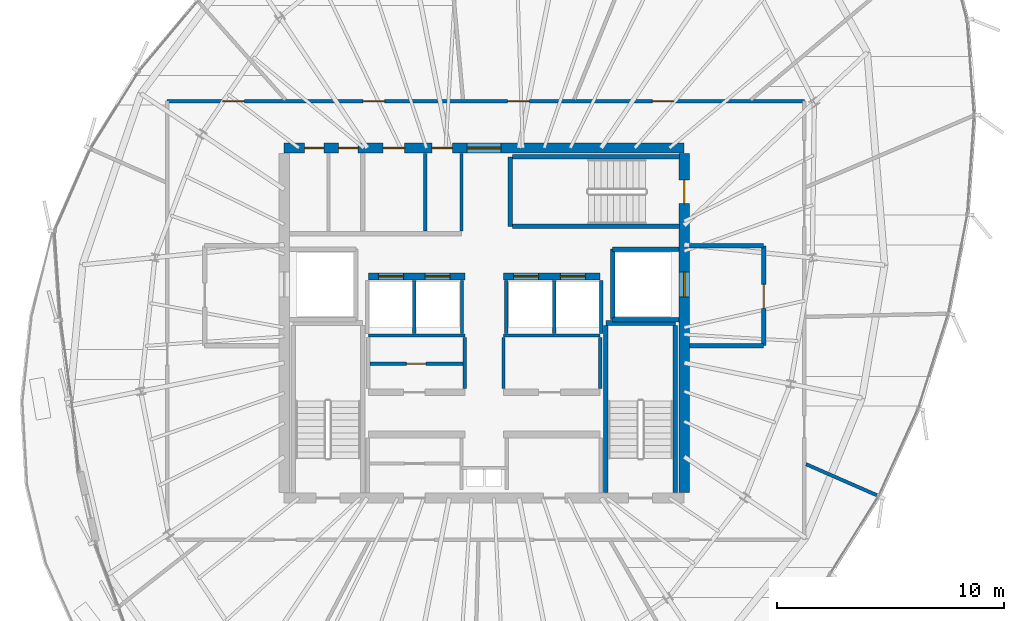
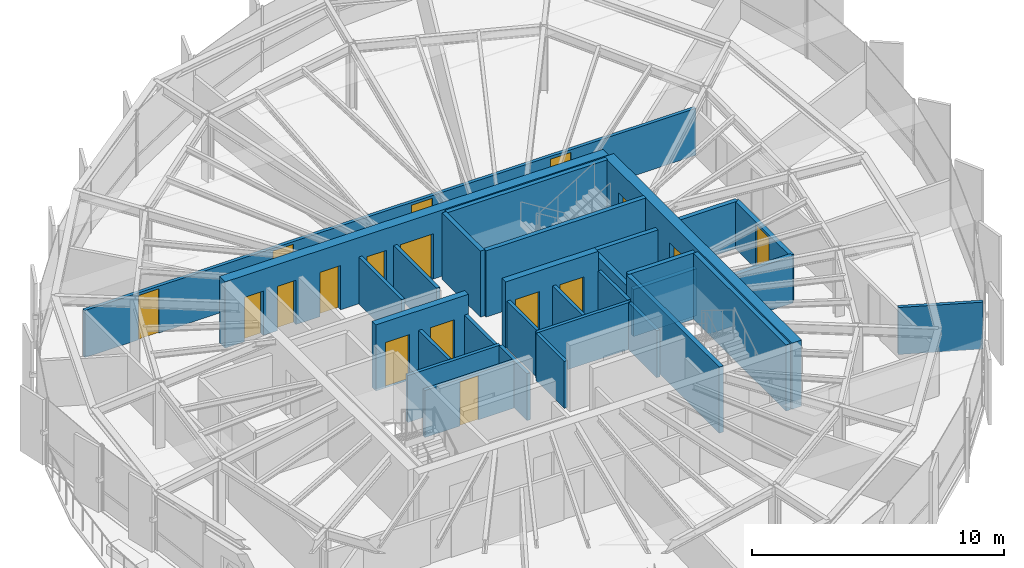
# One storey, part 27 of 32: 31 walls, 17 doors, 17 openings.
"""IFC4 building model written with IfcOpenShell, lengths in metres."""

import ifcopenshell
import ifcopenshell.guid

model = None  # the IFC model being written
_history = None  # IfcOwnerHistory: only IFC2X3 demands one
_inside = {}  # id of a spatial element -> (the spatial element, [elements in it])
_under = {}  # id of a project, library or spatial element -> (it, [spatial elements below it])
_declared = {}  # id of a project -> (the project, [libraries it declares])
_typed = {}  # id of a type object -> (the type object, [elements of that type])
_made_of = {}  # id of a material, layer set ... -> (it, [elements and type objects made of it])


def new_model(schema):
    """Start an empty IFC model of exactly this schema.

    Asked for "IFC4X3", IfcOpenShell would pick the latest addendum, in which some entities
    have other attributes; the version numbers below select the first issue.
    IFC2X3 requires an IfcOwnerHistory on every rooted entity: one is made here for all.
    """
    global model, _history
    if schema == "IFC4X3":
        model = ifcopenshell.file(schema_version=(4, 3, 0, 0))
    else:
        model = ifcopenshell.file(schema=schema)
    _inside.clear()
    _under.clear()
    _declared.clear()
    _typed.clear()
    _made_of.clear()
    _history = None
    if model.schema == "IFC2X3":
        org = make("IfcOrganization", Name="unknown")
        user = make(
            "IfcPersonAndOrganization",
            ThePerson=make("IfcPerson", FamilyName="unknown"),
            TheOrganization=org,
        )
        app = make(
            "IfcApplication",
            ApplicationDeveloper=org,
            Version="unknown",
            ApplicationFullName="unknown",
            ApplicationIdentifier="unknown",
        )
        _history = make(
            "IfcOwnerHistory",
            OwningUser=user,
            OwningApplication=app,
            ChangeAction="ADDED",
            CreationDate=0,
        )
    return model


def make(cls, **values):
    """One entity of the class cls with the attributes given. An attribute that is None is left unset."""
    return model.create_entity(
        cls, **{name: value for name, value in values.items() if value is not None}
    )


def rooted(cls, **values):
    """An entity with a GlobalId (a new one), such as an element, a storey or a relation."""
    return make(cls, GlobalId=ifcopenshell.guid.new(), OwnerHistory=_history, **values)


def si_unit(unit_type, name, prefix=None):
    """IfcSIUnit, for example si_unit("LENGTHUNIT", "METRE", prefix="MILLI")."""
    return make("IfcSIUnit", UnitType=unit_type, Prefix=prefix, Name=name)


def assignment(units):
    """IfcUnitAssignment: the units of a project."""
    return None if units is None else make("IfcUnitAssignment", Units=units)


def point(xyz):
    """IfcCartesianPoint."""
    return None if xyz is None else make("IfcCartesianPoint", Coordinates=xyz)


def direction(xyz):
    """IfcDirection."""
    return None if xyz is None else make("IfcDirection", DirectionRatios=xyz)


def frame(location, z_axis=None, x_axis=None):
    """IfcAxis2Placement3D, a coordinate frame: its origin and axes. An axis left out is left unset."""
    return make(
        "IfcAxis2Placement3D",
        Location=point(location),
        Axis=direction(z_axis),
        RefDirection=direction(x_axis),
    )


def frame_2d(location, x_axis=None):
    """IfcAxis2Placement2D, a coordinate frame in the plane: its origin and x axis."""
    return make(
        "IfcAxis2Placement2D", Location=point(location), RefDirection=direction(x_axis)
    )


def origin():
    """The frame at (0, 0, 0) with its axes left unset."""
    return frame((0.0, 0.0, 0.0))


def place(relative_to, where):
    """IfcLocalPlacement: puts the frame where relative to a parent placement (None: the world)."""
    return make(
        "IfcLocalPlacement", PlacementRelTo=relative_to, RelativePlacement=where
    )


def context(
    kind, dimensions, precision=None, world=None, true_north=None, identifier=None
):
    """IfcGeometricRepresentationContext, for example the 3D "Model" context."""
    return make(
        "IfcGeometricRepresentationContext",
        ContextIdentifier=identifier,
        ContextType=kind,
        CoordinateSpaceDimension=dimensions,
        Precision=precision,
        WorldCoordinateSystem=world,
        TrueNorth=true_north,
    )


def subcontext(parent, identifier, kind, view, scale=None):
    """IfcGeometricRepresentationSubContext, for example "Body" below "Model"."""
    return make(
        "IfcGeometricRepresentationSubContext",
        ContextIdentifier=identifier,
        ContextType=kind,
        ParentContext=parent,
        TargetScale=scale,
        TargetView=view,
    )


def project(units=None, contexts=None):
    """IfcProject with its units and contexts."""
    return rooted(
        "IfcProject",
        Name="project",
        RepresentationContexts=contexts,
        UnitsInContext=assignment(units),
    )


def spatial(cls, under=None, at=None, **own):
    """A site, building, storey or space (cls), placed at a placement, below another one or the project."""
    s = rooted(cls, ObjectPlacement=at, **own)
    if under is not None:
        _under.setdefault(under.id(), (under, []))[1].append(s)
    return s


def profile(cls, at=None, kind="AREA", **sizes):
    """A parametric profile (cls). Its sizes go by their IFC names, for example OverallWidth=200.0."""
    return make(cls, ProfileType=kind, Position=at, **sizes)


def rectangle(**sizes):
    """IfcRectangleProfileDef."""
    return profile("IfcRectangleProfileDef", **sizes)


def extrude(swept, where, along, depth):
    """IfcExtrudedAreaSolid: the profile swept, set in the frame where, extruded along a direction by depth."""
    return make(
        "IfcExtrudedAreaSolid",
        SweptArea=swept,
        Position=where,
        ExtrudedDirection=direction(along),
        Depth=depth,
    )


def shape(context_of_items, identifier, shape_type, items):
    """IfcShapeRepresentation: the items that make up one representation, for example the "Body"."""
    return make(
        "IfcShapeRepresentation",
        ContextOfItems=context_of_items,
        RepresentationIdentifier=identifier,
        RepresentationType=shape_type,
        Items=items,
    )


def source(mapping_origin, context_of_items, identifier, shape_type, items):
    """IfcRepresentationMap: a shape defined once, which mapped items show again and again."""
    return make(
        "IfcRepresentationMap",
        MappingOrigin=mapping_origin,
        MappedRepresentation=shape(context_of_items, identifier, shape_type, items),
    )


def transform(
    local_origin,
    x_axis=None,
    y_axis=None,
    z_axis=None,
    scale=None,
    scale2=None,
    scale3=None,
    uniform=True,
):
    """IfcCartesianTransformationOperator3D, or its non-uniform kind. x_axis, y_axis, z_axis: its Axis1, 2, 3."""
    if uniform:
        return make(
            "IfcCartesianTransformationOperator3D",
            Axis1=direction(x_axis),
            Axis2=direction(y_axis),
            LocalOrigin=point(local_origin),
            Scale=scale,
            Axis3=direction(z_axis),
        )
    return make(
        "IfcCartesianTransformationOperator3DnonUniform",
        Axis1=direction(x_axis),
        Axis2=direction(y_axis),
        LocalOrigin=point(local_origin),
        Scale=scale,
        Axis3=direction(z_axis),
        Scale2=scale2,
        Scale3=scale3,
    )


def mapped(mapping_source, mapping_target):
    """IfcMappedItem: shows the shape of a source again, moved by a transform."""
    return make(
        "IfcMappedItem", MappingSource=mapping_source, MappingTarget=mapping_target
    )


def material(Name=None, Category=None):
    """IfcMaterial."""
    return make("IfcMaterial", Name=Name, Category=Category)


def layer(
    of_material, thickness, ventilated=None, Name=None, Category=None, Priority=None
):
    """IfcMaterialLayer: one layer of a wall or slab, of a material (None: an air gap)."""
    return make(
        "IfcMaterialLayer",
        Material=of_material,
        LayerThickness=thickness,
        IsVentilated=ventilated,
        Name=Name,
        Category=Category,
        Priority=Priority,
    )


def layer_set(layers, Name=None):
    """IfcMaterialLayerSet."""
    return make("IfcMaterialLayerSet", MaterialLayers=layers, LayerSetName=Name)


def made_of(thing, what):
    """Note that an element or type object is made of a material, layer set ...; save() writes the relation."""
    if what is not None:
        _made_of.setdefault(what.id(), (what, []))[1].append(thing)
    return thing


def type_object(cls, material=None, **own):
    """A type object (cls), such as IfcWallType, which elements share."""
    return made_of(rooted(cls, **own), material)


def element(
    cls,
    number,
    at=None,
    inside=None,
    cuts=None,
    type_object=None,
    material=None,
    context=None,
    identifier="Body",
    shape_type=None,
    held_by="IfcProductDefinitionShape",
    body=None,
    shapes=None,
    **own,
):
    """One element of the class cls, such as IfcWall. Its Tag is "e" and its number.

    at: its placement. inside: the storey or other place that contains it. cuts: it is an
    opening in that element (IfcRelVoidsElement). A single representation is given by context,
    identifier, shape_type and body (its items); several are given by shapes. held_by: the class
    of the entity that holds the representations. save() writes the other relations.
    """
    e = rooted(cls, Tag="e%d" % number, ObjectPlacement=at, **own)
    if body is not None:
        shapes = [shape(context, identifier, shape_type, body)]
    if shapes is not None:
        e.Representation = make(held_by, Representations=shapes)
    if inside is not None:
        _inside.setdefault(inside.id(), (inside, []))[1].append(e)
    if cuts is not None:
        rooted(
            "IfcRelVoidsElement", RelatingBuildingElement=cuts, RelatedOpeningElement=e
        )
    if type_object is not None:
        _typed.setdefault(type_object.id(), (type_object, []))[1].append(e)
    return made_of(e, material)


def fill(opening, filler):
    """IfcRelFillsElement: the door or window that sits in an opening."""
    return rooted(
        "IfcRelFillsElement",
        RelatingOpeningElement=opening,
        RelatedBuildingElement=filler,
    )


def aggregate(whole, parts):
    """IfcRelAggregates: a whole, such as a stair, and the parts it consists of."""
    return rooted("IfcRelAggregates", RelatingObject=whole, RelatedObjects=parts)


def save(model, path):
    """Write the relations noted so far, then the file.

    IfcRelAggregates (storeys below a building ...), IfcRelContainedInSpatialStructure (elements
    in a storey), IfcRelDefinesByType, IfcRelAssociatesMaterial and IfcRelDeclares: one each for
    every whole, place, type object, material and project.
    """
    for whole, parts in _under.values():
        aggregate(whole, parts)
    for where, things in _inside.values():
        rooted(
            "IfcRelContainedInSpatialStructure",
            RelatedElements=things,
            RelatingStructure=where,
        )
    for kind, things in _typed.values():
        rooted("IfcRelDefinesByType", RelatedObjects=things, RelatingType=kind)
    for what, things in _made_of.values():
        rooted("IfcRelAssociatesMaterial", RelatedObjects=things, RelatingMaterial=what)
    for by, libraries in _declared.values():
        rooted("IfcRelDeclares", RelatingContext=by, RelatedDefinitions=libraries)
    model.write(path)


model = new_model("IFC4")

# Units and contexts
model_context = context("Model", 3, precision=1e-05, world=origin(), true_north=direction((0.0, 1.0)))
body_context = subcontext(model_context, "Body", "Model", "MODEL_VIEW")
ifc_project = project(units=[si_unit("LENGTHUNIT", "METRE"), si_unit("AREAUNIT", "SQUARE_METRE"), si_unit("VOLUMEUNIT", "CUBIC_METRE"), si_unit("PLANEANGLEUNIT", "RADIAN"), si_unit("MASSUNIT", "GRAM", prefix="KILO"), si_unit("THERMODYNAMICTEMPERATUREUNIT", "KELVIN")], contexts=[model_context])

# Site, building, storey
site_placement = place(None, origin())
site = spatial("IfcSite", under=ifc_project, at=site_placement, CompositionType="ELEMENT")
building_placement = place(site_placement, origin())
building = spatial("IfcBuilding", under=site, at=building_placement, Name="Kethvar Cultural Tower", CompositionType="ELEMENT")
storey_placement = place(building_placement, frame((0.0, 0.0, 252.550048828125)))
storey = spatial("IfcBuildingStorey", under=building, at=storey_placement, Name="L66", CompositionType="ELEMENT", Elevation=252.550048828125)

# Wall, openings, doors
ifc_material_1 = material(Name="Concrete C50/60", Category="concrete")
ifc_layer_1 = layer(ifc_material_1, 0.449951171875, Name="Concrete C50/60", Category="concrete")
ifc_layer_set_1 = layer_set([ifc_layer_1], Name="Concrete C50/60 (450 mm)")
wall_type_1 = type_object("IfcWallType", Name="WL-CORE-450", PredefinedType="SHEAR", material=ifc_layer_set_1)
wall_1_placement = place(storey_placement, frame((55.60009765625, 35.5, 0.0), z_axis=(0.0, 0.0, 1.0), x_axis=(-1.0, 0.0, 0.0)))
wall_1 = element("IfcWall", 1, at=wall_1_placement, inside=storey, type_object=wall_type_1, Name="L66 Core Shear Wall N", PredefinedType="SHEAR", context=body_context, shape_type="SweptSolid", body=[
    extrude(rectangle(XDim=17.60009765625, YDim=0.449951171875, at=frame_2d((8.800048828125, 0.0))), origin(), (0.0, 0.0, 1.0), 3.2099609375),
])
opening_1_placement = place(wall_1_placement, frame((8.050048828125, 0.0, 0.0)))
opening_1 = element("IfcOpeningElement", 2, at=opening_1_placement, cuts=wall_1, Name="Opening D-L66-LN", PredefinedType="OPENING", context=body_context, shape_type="SweptSolid", body=[
    extrude(rectangle(XDim=1.5, YDim=2.199951171875, at=frame_2d((0.75, 1.10009765625))), frame((0.0, 0.23486328125, 0.0), z_axis=(0.0, -1.0, 0.0), x_axis=(1.0, 0.0, 0.0)), (0.0, 0.0, 1.0), 0.469970703125),
])
opening_2_placement = place(wall_1_placement, frame((15.85009765625, 0.0, 0.0)))
opening_2 = element("IfcOpeningElement", 3, at=opening_2_placement, cuts=wall_1, Name="Opening D-L66-E1", PredefinedType="OPENING", context=body_context, shape_type="SweptSolid", body=[
    extrude(rectangle(XDim=0.85009765625, YDim=2.14990234375, at=frame_2d((0.425048828125, 1.074951171875))), frame((0.0, 0.23486328125, 0.0), z_axis=(0.0, -1.0, 0.0), x_axis=(1.0, 0.0, 0.0)), (0.0, 0.0, 1.0), 0.469970703125),
])
opening_3_placement = place(wall_1_placement, frame((14.35009765625, 0.0, 0.0)))
opening_3 = element("IfcOpeningElement", 4, at=opening_3_placement, cuts=wall_1, Name="Opening D-L66-E2", PredefinedType="OPENING", context=body_context, shape_type="SweptSolid", body=[
    extrude(rectangle(XDim=0.85009765625, YDim=2.14990234375, at=frame_2d((0.425048828125, 1.074951171875))), frame((0.0, 0.23486328125, 0.0), z_axis=(0.0, -1.0, 0.0), x_axis=(1.0, 0.0, 0.0)), (0.0, 0.0, 1.0), 0.469970703125),
])
opening_4_placement = place(wall_1_placement, frame((12.300048828125, 0.0, 0.0)))
opening_4 = element("IfcOpeningElement", 5, at=opening_4_placement, cuts=wall_1, Name="Opening D-L66-W1", PredefinedType="OPENING", context=body_context, shape_type="SweptSolid", body=[
    extrude(rectangle(XDim=0.949951171875, YDim=2.14990234375, at=frame_2d((0.47509765625, 1.074951171875))), frame((0.0, 0.23486328125, 0.0), z_axis=(0.0, -1.0, 0.0), x_axis=(1.0, 0.0, 0.0)), (0.0, 0.0, 1.0), 0.469970703125),
])
opening_5_placement = place(wall_1_placement, frame((10.199951171875, 0.0, 0.0)))
opening_5 = element("IfcOpeningElement", 6, at=opening_5_placement, cuts=wall_1, Name="Opening D-L66-W2", PredefinedType="OPENING", context=body_context, shape_type="SweptSolid", body=[
    extrude(rectangle(XDim=0.89990234375, YDim=2.14990234375, at=frame_2d((0.449951171875, 1.074951171875))), frame((0.0, 0.23486328125, 0.0), z_axis=(0.0, -1.0, 0.0), x_axis=(1.0, 0.0, 0.0)), (0.0, 0.0, 1.0), 0.469970703125),
])
ifc_material_2 = material(Name="Architectural Oak Timber", Category="wood")
door_type_1 = type_object("IfcDoorType", Name="DR-DBL-FD60-1500", OperationType="DOUBLE_DOOR_SINGLE_SWING", PredefinedType="DOOR", material=ifc_material_2)
shared_shape_1 = source(origin(), body_context, "Body", "SweptSolid", [
    extrude(rectangle(XDim=1.5, YDim=2.199951171875, at=frame_2d((0.75, 1.10009765625))), frame((0.0, 0.02490234375, 0.0), z_axis=(0.0, -1.0, 0.0), x_axis=(1.0, 0.0, 0.0)), (0.0, 0.0, 1.0), 0.050048828125),
])
door_1_placement = place(opening_1_placement, origin())
door_1 = element("IfcDoor", 7, at=door_1_placement, inside=storey, type_object=door_type_1, Name="L66 Lift Lobby Concourse Door", OperationType="DOUBLE_DOOR_SINGLE_SWING", OverallHeight=2.199951171875, OverallWidth=1.5, PredefinedType="DOOR", context=body_context, shape_type="MappedRepresentation", body=[
    mapped(shared_shape_1, transform((0.0, 0.0, 0.0), scale=1.0)),
])
fill(opening_1, door_1)
door_type_2 = type_object("IfcDoorType", Name="DR-FD30-950", OperationType="NOTDEFINED", PredefinedType="DOOR", material=ifc_material_2)
shared_shape_2 = source(origin(), body_context, "Body", "SweptSolid", [
    extrude(rectangle(XDim=0.949951171875, YDim=2.14990234375, at=frame_2d((0.47509765625, 1.074951171875))), frame((0.0, 0.02490234375, 0.0), z_axis=(0.0, -1.0, 0.0), x_axis=(1.0, 0.0, 0.0)), (0.0, 0.0, 1.0), 0.050048828125),
])
door_2_placement = place(opening_4_placement, origin())
door_2 = element("IfcDoor", 8, at=door_2_placement, inside=storey, type_object=door_type_2, Name="L66 Public Washroom Door", OperationType="SINGLE_SWING_LEFT", OverallHeight=2.14990234375, OverallWidth=0.949951171875, PredefinedType="DOOR", context=body_context, shape_type="MappedRepresentation", body=[
    mapped(shared_shape_2, transform((0.0, 0.0, 0.0), scale=1.0)),
])
fill(opening_4, door_2)
door_type_3 = type_object("IfcDoorType", Name="DR-FD30-900", OperationType="NOTDEFINED", PredefinedType="DOOR", material=ifc_material_2)
shared_shape_3 = source(origin(), body_context, "Body", "SweptSolid", [
    extrude(rectangle(XDim=0.89990234375, YDim=2.14990234375, at=frame_2d((0.449951171875, 1.074951171875))), frame((0.0, 0.02490234375, 0.0), z_axis=(0.0, -1.0, 0.0), x_axis=(1.0, 0.0, 0.0)), (0.0, 0.0, 1.0), 0.050048828125),
])
door_3_placement = place(opening_5_placement, origin())
door_3 = element("IfcDoor", 9, at=door_3_placement, inside=storey, type_object=door_type_3, Name="L66 Accessible Washroom Door", OperationType="SINGLE_SWING_RIGHT", OverallHeight=2.14990234375, OverallWidth=0.89990234375, PredefinedType="DOOR", context=body_context, shape_type="MappedRepresentation", body=[
    mapped(shared_shape_3, transform((0.0, 0.0, 0.0), scale=1.0)),
])
fill(opening_5, door_3)
ifc_material_3 = material(Name="Steel S355J2", Category="steel")
door_type_4 = type_object("IfcDoorType", Name="DR-FD30-850", OperationType="NOTDEFINED", PredefinedType="DOOR", material=ifc_material_3)
shared_shape_4 = source(origin(), body_context, "Body", "SweptSolid", [
    extrude(rectangle(XDim=0.85009765625, YDim=2.14990234375, at=frame_2d((0.425048828125, 1.074951171875))), frame((0.0, 0.02490234375, 0.0), z_axis=(0.0, -1.0, 0.0), x_axis=(1.0, 0.0, 0.0)), (0.0, 0.0, 1.0), 0.050048828125),
])
door_4_placement = place(opening_2_placement, origin())
door_4 = element("IfcDoor", 10, at=door_4_placement, inside=storey, type_object=door_type_4, Name="L66 Electrical Riser Door", OperationType="SINGLE_SWING_LEFT", OverallHeight=2.14990234375, OverallWidth=0.85009765625, PredefinedType="DOOR", context=body_context, shape_type="MappedRepresentation", body=[
    mapped(shared_shape_4, transform((0.0, 0.0, 0.0), scale=1.0)),
])
fill(opening_2, door_4)
door_5_placement = place(opening_3_placement, origin())
door_5 = element("IfcDoor", 11, at=door_5_placement, inside=storey, type_object=door_type_4, Name="L66 Chilled Water Riser Door", OperationType="SINGLE_SWING_RIGHT", OverallHeight=2.14990234375, OverallWidth=0.85009765625, PredefinedType="DOOR", context=body_context, shape_type="MappedRepresentation", body=[
    mapped(shared_shape_4, transform((0.0, 0.0, 0.0), scale=1.0)),
])
fill(opening_3, door_5)

wall_2_placement = place(storey_placement, frame((55.60009765625, 20.340087890625, 0.0), z_axis=(0.0, 0.0, 1.0), x_axis=(0.0, 1.0, 0.0)))
wall_2 = element("IfcWall", 12, at=wall_2_placement, inside=storey, type_object=wall_type_1, Name="L66 Core Shear Wall E", PredefinedType="SHEAR", context=body_context, shape_type="SweptSolid", body=[
    extrude(rectangle(XDim=14.919921875, YDim=0.449951171875, at=frame_2d((7.4599609375, 0.0))), origin(), (0.0, 0.0, 1.0), 3.2099609375),
])
opening_6_placement = place(wall_2_placement, frame((12.7099609375, 0.0, 0.0)))
opening_6 = element("IfcOpeningElement", 13, at=opening_6_placement, cuts=wall_2, Name="Opening D-L66-S3", PredefinedType="OPENING", context=body_context, shape_type="SweptSolid", body=[
    extrude(rectangle(XDim=1.050048828125, YDim=2.14990234375, at=frame_2d((0.52490234375, 1.074951171875))), frame((0.0, 0.23486328125, 0.0), z_axis=(0.0, -1.0, 0.0), x_axis=(1.0, 0.0, 0.0)), (0.0, 0.0, 1.0), 0.469970703125),
])
opening_7_placement = place(wall_2_placement, frame((8.610107421875, 0.0, 0.0)))
opening_7 = element("IfcOpeningElement", 14, at=opening_7_placement, cuts=wall_2, Name="Opening LD-2", PredefinedType="OPENING", context=body_context, shape_type="SweptSolid", body=[
    extrude(rectangle(XDim=1.10009765625, YDim=2.199951171875, at=frame_2d((0.550048828125, 1.10009765625))), frame((0.0, 0.23486328125, 0.0), z_axis=(0.0, -1.0, 0.0), x_axis=(1.0, 0.0, 0.0)), (0.0, 0.0, 1.0), 0.469970703125),
])
door_type_5 = type_object("IfcDoorType", Name="DR-FD60-1050", OperationType="NOTDEFINED", PredefinedType="DOOR", material=ifc_material_3)
shared_shape_5 = source(origin(), body_context, "Body", "SweptSolid", [
    extrude(rectangle(XDim=1.050048828125, YDim=2.14990234375, at=frame_2d((0.52490234375, 1.074951171875))), frame((0.0, 0.02490234375, 0.0), z_axis=(0.0, -1.0, 0.0), x_axis=(1.0, 0.0, 0.0)), (0.0, 0.0, 1.0), 0.050048828125),
])
door_6_placement = place(opening_6_placement, origin())
door_6 = element("IfcDoor", 15, at=door_6_placement, inside=storey, type_object=door_type_5, Name="L66 Exit Stair 3 Door", OperationType="SINGLE_SWING_LEFT", OverallHeight=2.14990234375, OverallWidth=1.050048828125, PredefinedType="DOOR", context=body_context, shape_type="MappedRepresentation", body=[
    mapped(shared_shape_5, transform((0.0, 0.0, 0.0), scale=1.0)),
])
fill(opening_6, door_6)
door_type_6 = type_object("IfcDoorType", Name="DR-LIFT-SLIDE-1100", OperationType="NOTDEFINED", PredefinedType="DOOR", material=ifc_material_3)
shared_shape_6 = source(origin(), body_context, "Body", "SweptSolid", [
    extrude(rectangle(XDim=1.10009765625, YDim=2.199951171875, at=frame_2d((0.550048828125, 1.10009765625))), frame((0.0, 0.02490234375, 0.0), z_axis=(0.0, -1.0, 0.0), x_axis=(1.0, 0.0, 0.0)), (0.0, 0.0, 1.0), 0.050048828125),
])
door_7_placement = place(opening_7_placement, origin())
door_7 = element("IfcDoor", 16, at=door_7_placement, inside=storey, type_object=door_type_6, Name="L66 Firefighting Lift Landing Door FFL-02", OperationType="SLIDING_TO_RIGHT", OverallHeight=2.199951171875, OverallWidth=1.10009765625, PredefinedType="DOOR", context=body_context, shape_type="MappedRepresentation", body=[
    mapped(shared_shape_6, transform((0.0, 0.0, 0.0), scale=1.0)),
])
fill(opening_7, door_7)

# Walls
ifc_material_4 = material(Name="Gypsum Fireboard Partition")
ifc_layer_2 = layer(ifc_material_4, 0.14990234375, Name="Gypsum Fireboard Partition")
ifc_layer_set_2 = layer_set([ifc_layer_2], Name="Gypsum Fireboard Partition (150 mm)")
wall_type_2 = type_object("IfcWallType", Name="WL-FIRE-150", PredefinedType="PARTITIONING", material=ifc_layer_set_2)
for number, where, z_axis, x_axis, name in (
    (17, (41.699951171875, 27.25, 0.0), (0.0, 0.0, 1.0), (1.0, 0.0, 0.0), "L66 Reclaimed Mid Wall W"),
    (18, (47.64990234375, 27.25, 0.0), (0.0, 0.0, 1.0), (1.0, 0.0, 0.0), "L66 Reclaimed Mid Wall E"),
):
    element("IfcWall", number, at=place(storey_placement, frame(where, z_axis=z_axis, x_axis=x_axis)), inside=storey, type_object=wall_type_2, Name=name, PredefinedType="PARTITIONING", context=body_context, shape_type="SweptSolid", body=[
        extrude(rectangle(XDim=4.25, YDim=0.14990234375, at=frame_2d((2.125, 0.0))), origin(), (0.0, 0.0, 1.0), 2.280029296875),
    ])
for number, where, z_axis, x_axis, name in (
    (19, (45.949951171875, 24.919921875, 0.0), (0.0, 0.0, 1.0), (0.0, 1.0, 0.0), "L66 Reclaimed Mid Spine W"),
    (20, (47.64990234375, 24.919921875, 0.0), (0.0, 0.0, 1.0), (0.0, 1.0, 0.0), "L66 Reclaimed Mid Spine E"),
    (21, (51.89990234375, 24.919921875, 0.0), (0.0, 0.0, 1.0), (0.0, 1.0, 0.0), "L66 Reclaimed Mid Outer E"),
):
    element("IfcWall", number, at=place(storey_placement, frame(where, z_axis=z_axis, x_axis=x_axis)), inside=storey, type_object=wall_type_2, Name=name, PredefinedType="PARTITIONING", context=body_context, shape_type="SweptSolid", body=[
        extrude(rectangle(XDim=2.239990234375, YDim=0.14990234375, at=frame_2d((1.1201171875, 0.0))), origin(), (0.0, 0.0, 1.0), 2.280029296875),
    ])

# Wall, opening, door
wall_3_placement = place(storey_placement, frame((41.780029296875, 26.010009765625, 0.0), z_axis=(0.0, 0.0, 1.0), x_axis=(1.0, 0.0, 0.0)))
wall_3 = element("IfcWall", 22, at=wall_3_placement, inside=storey, type_object=wall_type_2, Name="L66 Mid Gallery Wall W", PredefinedType="PARTITIONING", context=body_context, shape_type="SweptSolid", body=[
    extrude(rectangle(XDim=4.090087890625, YDim=0.14990234375, at=frame_2d((2.044921875, 0.0))), origin(), (0.0, 0.0, 1.0), 2.280029296875),
])
opening_8_placement = place(wall_3_placement, frame((1.60009765625, 0.0, 0.0)))
opening_8 = element("IfcOpeningElement", 23, at=opening_8_placement, cuts=wall_3, Name="Opening D-L66-M3", PredefinedType="OPENING", context=body_context, shape_type="SweptSolid", body=[
    extrude(rectangle(XDim=0.85009765625, YDim=2.14990234375, at=frame_2d((0.425048828125, 1.074951171875))), frame((0.0, 0.0849609375, 0.0), z_axis=(0.0, -1.0, 0.0), x_axis=(1.0, 0.0, 0.0)), (0.0, 0.0, 1.0), 0.169921875),
])
door_8_placement = place(opening_8_placement, origin())
door_8 = element("IfcDoor", 24, at=door_8_placement, inside=storey, type_object=door_type_4, Name="L66 Fibre Inner Door", OperationType="SINGLE_SWING_LEFT", OverallHeight=2.14990234375, OverallWidth=0.85009765625, PredefinedType="DOOR", context=body_context, shape_type="MappedRepresentation", body=[
    mapped(shared_shape_4, transform((0.0, 0.0, 0.0), scale=1.0)),
])
fill(opening_8, door_8)

# Walls
for number, where, z_axis, x_axis, name in (
    (25, (43.72509765625, 27.340087890625, 0.0), (0.0, 0.0, 1.0), (0.0, 1.0, 0.0), "L66 High-Rise Lift Shaft Divider W"),
    (26, (45.824951171875, 27.340087890625, 0.0), (0.0, 0.0, 1.0), (0.0, 1.0, 0.0), "L66 High-Rise Lift Shaft Concourse Wall W"),
    (27, (47.77490234375, 27.340087890625, 0.0), (0.0, 0.0, 1.0), (0.0, 1.0, 0.0), "L66 High-Rise Lift Shaft Concourse Wall E"),
    (28, (49.875, 27.340087890625, 0.0), (0.0, 0.0, 1.0), (0.0, 1.0, 0.0), "L66 High-Rise Lift Shaft Divider E"),
    (29, (51.949951171875, 27.340087890625, 0.0), (0.0, 0.0, 1.0), (0.0, 1.0, 0.0), "L66 High-Rise Lift Shaft Outer Wall E"),
):
    element("IfcWall", number, at=place(storey_placement, frame(where, z_axis=z_axis, x_axis=x_axis)), inside=storey, type_object=wall_type_2, Name=name, PredefinedType="PARTITIONING", context=body_context, shape_type="SweptSolid", body=[
        extrude(rectangle(XDim=2.33984375, YDim=0.14990234375, at=frame_2d((1.169921875, 0.0))), origin(), (0.0, 0.0, 1.0), 2.280029296875),
    ])
wall_4_placement = place(storey_placement, frame((45.800048828125, 31.85009765625, 0.0), z_axis=(0.0, 0.0, 1.0), x_axis=(0.0, 1.0, 0.0)))
element("IfcWall", 30, at=wall_4_placement, inside=storey, type_object=wall_type_2, Name="L66 Sanitary Spine Wall", PredefinedType="PARTITIONING", context=body_context, shape_type="SweptSolid", body=[
    extrude(rectangle(XDim=3.414794921875, YDim=0.14990234375, at=frame_2d((1.70751953125, 0.0))), origin(), (0.0, 0.0, 1.0), 2.280029296875),
])

# Wall, openings, doors
wall_5_placement = place(storey_placement, frame((60.887939453125, 37.56201171875, 0.0), z_axis=(0.0, 0.0, 1.0), x_axis=(-1.0, 0.0, 0.0)))
wall_5 = element("IfcWall", 31, at=wall_5_placement, inside=storey, type_object=wall_type_2, Name="L66 Corridor Rated Wall N", PredefinedType="PARTITIONING", context=body_context, shape_type="SweptSolid", body=[
    extrude(rectangle(XDim=28.037841796875, YDim=0.14990234375, at=frame_2d((14.01904296875, 0.0))), origin(), (0.0, 0.0, 1.0), 2.280029296875),
])
opening_9_placement = place(wall_5_placement, frame((5.7373046875, 0.0, 0.0)))
opening_9 = element("IfcOpeningElement", 32, at=opening_9_placement, cuts=wall_5, Name="Opening D-L66-08", PredefinedType="OPENING", context=body_context, shape_type="SweptSolid", body=[
    extrude(rectangle(XDim=0.949951171875, YDim=2.14990234375, at=frame_2d((0.47509765625, 1.074951171875))), frame((0.0, 0.0849609375, 0.0), z_axis=(0.0, -1.0, 0.0), x_axis=(1.0, 0.0, 0.0)), (0.0, 0.0, 1.0), 0.169921875),
])
opening_10_placement = place(wall_5_placement, frame((12.101806640625, 0.0, 0.0)))
opening_10 = element("IfcOpeningElement", 33, at=opening_10_placement, cuts=wall_5, Name="Opening D-L66-09", PredefinedType="OPENING", context=body_context, shape_type="SweptSolid", body=[
    extrude(rectangle(XDim=0.949951171875, YDim=2.14990234375, at=frame_2d((0.47509765625, 1.074951171875))), frame((0.0, 0.0849609375, 0.0), z_axis=(0.0, -1.0, 0.0), x_axis=(1.0, 0.0, 0.0)), (0.0, 0.0, 1.0), 0.169921875),
])
opening_11_placement = place(wall_5_placement, frame((18.47021484375, 0.0, 0.0)))
opening_11 = element("IfcOpeningElement", 34, at=opening_11_placement, cuts=wall_5, Name="Opening D-L66-10", PredefinedType="OPENING", context=body_context, shape_type="SweptSolid", body=[
    extrude(rectangle(XDim=0.949951171875, YDim=2.14990234375, at=frame_2d((0.47509765625, 1.074951171875))), frame((0.0, 0.0849609375, 0.0), z_axis=(0.0, -1.0, 0.0), x_axis=(1.0, 0.0, 0.0)), (0.0, 0.0, 1.0), 0.169921875),
])
opening_12_placement = place(wall_5_placement, frame((24.644287109375, 0.0, 0.0)))
opening_12 = element("IfcOpeningElement", 35, at=opening_12_placement, cuts=wall_5, Name="Opening D-L66-11", PredefinedType="OPENING", context=body_context, shape_type="SweptSolid", body=[
    extrude(rectangle(XDim=0.949951171875, YDim=2.14990234375, at=frame_2d((0.47509765625, 1.074951171875))), frame((0.0, 0.0849609375, 0.0), z_axis=(0.0, -1.0, 0.0), x_axis=(1.0, 0.0, 0.0)), (0.0, 0.0, 1.0), 0.169921875),
])
door_9_placement = place(opening_9_placement, origin())
door_9 = element("IfcDoor", 36, at=door_9_placement, inside=storey, type_object=door_type_2, Name="L66 Publication Archive Store 08 Door", OperationType="SINGLE_SWING_RIGHT", OverallHeight=2.14990234375, OverallWidth=0.949951171875, PredefinedType="DOOR", context=body_context, shape_type="MappedRepresentation", body=[
    mapped(shared_shape_2, transform((0.0, 0.0, 0.0), scale=1.0)),
])
fill(opening_9, door_9)
door_10_placement = place(opening_10_placement, origin())
door_10 = element("IfcDoor", 37, at=door_10_placement, inside=storey, type_object=door_type_2, Name="L66 Concourse Visitor Foyer 09 Door", OperationType="SINGLE_SWING_LEFT", OverallHeight=2.14990234375, OverallWidth=0.949951171875, PredefinedType="DOOR", context=body_context, shape_type="MappedRepresentation", body=[
    mapped(shared_shape_2, transform((0.0, 0.0, 0.0), scale=1.0)),
])
fill(opening_10, door_10)
door_11_placement = place(opening_11_placement, origin())
door_11 = element("IfcDoor", 38, at=door_11_placement, inside=storey, type_object=door_type_2, Name="L66 Fellowship Seminar Room 10 Door", OperationType="SINGLE_SWING_RIGHT", OverallHeight=2.14990234375, OverallWidth=0.949951171875, PredefinedType="DOOR", context=body_context, shape_type="MappedRepresentation", body=[
    mapped(shared_shape_2, transform((0.0, 0.0, 0.0), scale=1.0)),
])
fill(opening_11, door_11)
door_12_placement = place(opening_12_placement, origin())
door_12 = element("IfcDoor", 39, at=door_12_placement, inside=storey, type_object=door_type_2, Name="L66 Institute Tea Pantry 11 Door", OperationType="SINGLE_SWING_LEFT", OverallHeight=2.14990234375, OverallWidth=0.949951171875, PredefinedType="DOOR", context=body_context, shape_type="MappedRepresentation", body=[
    mapped(shared_shape_2, transform((0.0, 0.0, 0.0), scale=1.0)),
])
fill(opening_12, door_12)

# Walls
ifc_material_5 = material(Name="Concrete C40/50", Category="concrete")
ifc_layer_3 = layer(ifc_material_5, 0.199951171875, Name="Concrete C40/50", Category="concrete")
ifc_layer_set_3 = layer_set([ifc_layer_3], Name="Concrete C40/50 (200 mm)")
wall_type_3 = type_object("IfcWallType", Name="WL-FIRE-200", PredefinedType="PARTITIONING", material=ifc_layer_set_3)
wall_6_placement = place(storey_placement, frame((52.449951171875, 27.949951171875, 0.0), z_axis=(0.0, 0.0, 1.0), x_axis=(0.0, 1.0, 0.0)))
element("IfcWall", 40, at=wall_6_placement, inside=storey, type_object=wall_type_3, Name="L66 FFL-02 Shaft Inner Wall", PredefinedType="PARTITIONING", context=body_context, shape_type="SweptSolid", body=[
    extrude(rectangle(XDim=3.10009765625, YDim=0.199951171875, at=frame_2d((1.550048828125, 0.0))), origin(), (0.0, 0.0, 1.0), 2.280029296875),
])
for number, where, z_axis, x_axis, name in (
    (41, (52.449951171875, 27.949951171875, 0.0), (0.0, 0.0, 1.0), (1.0, 0.0, 0.0), "L66 FFL-02 Shaft South Wall"),
    (42, (52.449951171875, 31.050048828125, 0.0), (0.0, 0.0, 1.0), (1.0, 0.0, 0.0), "L66 FFL-02 Shaft North Wall"),
):
    element("IfcWall", number, at=place(storey_placement, frame(where, z_axis=z_axis, x_axis=x_axis)), inside=storey, type_object=wall_type_3, Name=name, PredefinedType="PARTITIONING", context=body_context, shape_type="SweptSolid", body=[
        extrude(rectangle(XDim=2.9150390625, YDim=0.199951171875, at=frame_2d((1.45751953125, 0.0))), origin(), (0.0, 0.0, 1.0), 2.280029296875),
    ])

# Wall, opening, door
wall_7_placement = place(storey_placement, frame((59.10009765625, 26.800048828125, 0.0), z_axis=(0.0, 0.0, 1.0), x_axis=(0.0, 1.0, 0.0)))
wall_7 = element("IfcWall", 43, at=wall_7_placement, inside=storey, type_object=wall_type_3, Name="L66 Firefighting Lobby 2 Wall", PredefinedType="PARTITIONING", context=body_context, shape_type="SweptSolid", body=[
    extrude(rectangle(XDim=4.39990234375, YDim=0.199951171875, at=frame_2d((2.199951171875, 0.0))), origin(), (0.0, 0.0, 1.0), 2.280029296875),
])
opening_13_placement = place(wall_7_placement, frame((1.64990234375, 0.0, 0.0)))
opening_13 = element("IfcOpeningElement", 44, at=opening_13_placement, cuts=wall_7, Name="Opening D-L66-F2", PredefinedType="OPENING", context=body_context, shape_type="SweptSolid", body=[
    extrude(rectangle(XDim=1.050048828125, YDim=2.14990234375, at=frame_2d((0.52490234375, 1.074951171875))), frame((0.0, 0.10986328125, 0.0), z_axis=(0.0, -1.0, 0.0), x_axis=(1.0, 0.0, 0.0)), (0.0, 0.0, 1.0), 0.219970703125),
])
door_13_placement = place(opening_13_placement, origin())
door_13 = element("IfcDoor", 45, at=door_13_placement, inside=storey, type_object=door_type_5, Name="L66 Firefighting Lobby 2 Fire Door", OperationType="SINGLE_SWING_LEFT", OverallHeight=2.14990234375, OverallWidth=1.050048828125, PredefinedType="DOOR", context=body_context, shape_type="MappedRepresentation", body=[
    mapped(shared_shape_5, transform((0.0, 0.0, 0.0), scale=1.0)),
])
fill(opening_13, door_13)

# Walls
for number, where, z_axis, x_axis, name in (
    (46, (55.8349609375, 26.800048828125, 0.0), (0.0, 0.0, 1.0), (1.0, 0.0, 0.0), "L66 FF Lobby 2 South Wall"),
    (47, (55.8349609375, 31.199951171875, 0.0), (0.0, 0.0, 1.0), (1.0, 0.0, 0.0), "L66 FF Lobby 2 North Wall"),
):
    element("IfcWall", number, at=place(storey_placement, frame(where, z_axis=z_axis, x_axis=x_axis)), inside=storey, type_object=wall_type_3, Name=name, PredefinedType="PARTITIONING", context=body_context, shape_type="SweptSolid", body=[
        extrude(rectangle(XDim=3.26513671875, YDim=0.199951171875, at=frame_2d((1.632568359375, 0.0))), origin(), (0.0, 0.0, 1.0), 2.280029296875),
    ])
ifc_material_6 = material(Name="Gypsum Acoustic Partition")
ifc_layer_4 = layer(ifc_material_6, 0.14990234375, Name="Gypsum Acoustic Partition")
ifc_layer_set_4 = layer_set([ifc_layer_4], Name="Gypsum Acoustic Partition (150 mm)")
wall_type_4 = type_object("IfcWallType", Name="WL-PART-150", PredefinedType="PARTITIONING", material=ifc_layer_set_4)
wall_8_placement = place(storey_placement, frame((60.961181640625, 21.58837890625, 0.0), z_axis=(0.0, 0.0, 1.0), x_axis=(0.915923060323, -0.401353893178, 0.0)))
element("IfcWall", 48, at=wall_8_placement, inside=storey, type_object=wall_type_4, Name="L66 Radial Partition Wall 05", PredefinedType="PARTITIONING", context=body_context, shape_type="SweptSolid", body=[
    extrude(rectangle(XDim=3.3984375, YDim=0.14990234375, at=frame_2d((1.69921875, 0.0))), origin(), (0.0, 0.0, 1.0), 2.280029296875),
])
ifc_material_7 = material(Name="Moisture-Resistant Sanitary Chase Wall")
ifc_layer_5 = layer(ifc_material_7, 0.14990234375, Name="Moisture-Resistant Sanitary Chase Wall")
ifc_layer_set_5 = layer_set([ifc_layer_5], Name="Moisture-Resistant Sanitary Chase Wall (150 mm)")
wall_type_5 = type_object("IfcWallType", Name="WL-PLUMB-150", PredefinedType="PLUMBINGWALL", material=ifc_layer_set_5)
wall_9_placement = place(storey_placement, frame((44.199951171875, 31.85009765625, 0.0), z_axis=(0.0, 0.0, 1.0), x_axis=(0.0, 1.0, 0.0)))
element("IfcWall", 49, at=wall_9_placement, inside=storey, type_object=wall_type_5, Name="L66 Sanitary Plumbing Wall", PredefinedType="PLUMBINGWALL", context=body_context, shape_type="SweptSolid", body=[
    extrude(rectangle(XDim=3.414794921875, YDim=0.14990234375, at=frame_2d((1.70751953125, 0.0))), origin(), (0.0, 0.0, 1.0), 2.280029296875),
])

# Wall, openings, doors
ifc_layer_6 = layer(ifc_material_1, 0.300048828125, Name="Concrete C50/60", Category="concrete")
ifc_layer_set_6 = layer_set([ifc_layer_6], Name="Concrete C50/60 (300 mm)")
wall_type_6 = type_object("IfcWallType", Name="WL-SHAFT-300", PredefinedType="SHEAR", material=ifc_layer_set_6)
wall_10_placement = place(storey_placement, frame((41.699951171875, 29.85009765625, 0.0), z_axis=(0.0, 0.0, 1.0), x_axis=(1.0, 0.0, 0.0)))
wall_10 = element("IfcWall", 50, at=wall_10_placement, inside=storey, type_object=wall_type_6, Name="L66 Core Lift Spine Wall MID3W", PredefinedType="SHEAR", context=body_context, shape_type="SweptSolid", body=[
    extrude(rectangle(XDim=4.25, YDim=0.300048828125, at=frame_2d((2.125, 0.0))), origin(), (0.0, 0.0, 1.0), 3.2099609375),
])
opening_14_placement = place(wall_10_placement, frame((0.449951171875, 0.0, 0.0)))
opening_14 = element("IfcOpeningElement", 51, at=opening_14_placement, cuts=wall_10, Name="Opening LD-H1", PredefinedType="OPENING", context=body_context, shape_type="SweptSolid", body=[
    extrude(rectangle(XDim=1.10009765625, YDim=2.199951171875, at=frame_2d((0.550048828125, 1.10009765625))), frame((0.0, 0.159912109375, 0.0), z_axis=(0.0, -1.0, 0.0), x_axis=(1.0, 0.0, 0.0)), (0.0, 0.0, 1.0), 0.320068359375),
])
opening_15_placement = place(wall_10_placement, frame((2.5, 0.0, 0.0)))
opening_15 = element("IfcOpeningElement", 52, at=opening_15_placement, cuts=wall_10, Name="Opening LD-H2", PredefinedType="OPENING", context=body_context, shape_type="SweptSolid", body=[
    extrude(rectangle(XDim=1.10009765625, YDim=2.199951171875, at=frame_2d((0.550048828125, 1.10009765625))), frame((0.0, 0.159912109375, 0.0), z_axis=(0.0, -1.0, 0.0), x_axis=(1.0, 0.0, 0.0)), (0.0, 0.0, 1.0), 0.320068359375),
])
door_14_placement = place(opening_14_placement, origin())
door_14 = element("IfcDoor", 53, at=door_14_placement, inside=storey, type_object=door_type_6, Name="L66 High-Rise Lift Landing Door H1", OperationType="SLIDING_TO_LEFT", OverallHeight=2.199951171875, OverallWidth=1.10009765625, PredefinedType="DOOR", context=body_context, shape_type="MappedRepresentation", body=[
    mapped(shared_shape_6, transform((0.0, 0.0, 0.0), scale=1.0)),
])
fill(opening_14, door_14)
door_15_placement = place(opening_15_placement, origin())
door_15 = element("IfcDoor", 54, at=door_15_placement, inside=storey, type_object=door_type_6, Name="L66 High-Rise Lift Landing Door H2", OperationType="SLIDING_TO_LEFT", OverallHeight=2.199951171875, OverallWidth=1.10009765625, PredefinedType="DOOR", context=body_context, shape_type="MappedRepresentation", body=[
    mapped(shared_shape_6, transform((0.0, 0.0, 0.0), scale=1.0)),
])
fill(opening_15, door_15)

wall_11_placement = place(storey_placement, frame((47.64990234375, 29.85009765625, 0.0), z_axis=(0.0, 0.0, 1.0), x_axis=(1.0, 0.0, 0.0)))
wall_11 = element("IfcWall", 55, at=wall_11_placement, inside=storey, type_object=wall_type_6, Name="L66 Core Lift Spine Wall MID3E", PredefinedType="SHEAR", context=body_context, shape_type="SweptSolid", body=[
    extrude(rectangle(XDim=4.25, YDim=0.300048828125, at=frame_2d((2.125, 0.0))), origin(), (0.0, 0.0, 1.0), 3.2099609375),
])
opening_16_placement = place(wall_11_placement, frame((0.449951171875, 0.0, 0.0)))
opening_16 = element("IfcOpeningElement", 56, at=opening_16_placement, cuts=wall_11, Name="Opening LD-H3", PredefinedType="OPENING", context=body_context, shape_type="SweptSolid", body=[
    extrude(rectangle(XDim=1.10009765625, YDim=2.199951171875, at=frame_2d((0.550048828125, 1.10009765625))), frame((0.0, 0.159912109375, 0.0), z_axis=(0.0, -1.0, 0.0), x_axis=(1.0, 0.0, 0.0)), (0.0, 0.0, 1.0), 0.320068359375),
])
opening_17_placement = place(wall_11_placement, frame((2.5, 0.0, 0.0)))
opening_17 = element("IfcOpeningElement", 57, at=opening_17_placement, cuts=wall_11, Name="Opening LD-H4", PredefinedType="OPENING", context=body_context, shape_type="SweptSolid", body=[
    extrude(rectangle(XDim=1.10009765625, YDim=2.199951171875, at=frame_2d((0.550048828125, 1.10009765625))), frame((0.0, 0.159912109375, 0.0), z_axis=(0.0, -1.0, 0.0), x_axis=(1.0, 0.0, 0.0)), (0.0, 0.0, 1.0), 0.320068359375),
])
door_16_placement = place(opening_16_placement, origin())
door_16 = element("IfcDoor", 58, at=door_16_placement, inside=storey, type_object=door_type_6, Name="L66 High-Rise Lift Landing Door H3", OperationType="SLIDING_TO_LEFT", OverallHeight=2.199951171875, OverallWidth=1.10009765625, PredefinedType="DOOR", context=body_context, shape_type="MappedRepresentation", body=[
    mapped(shared_shape_6, transform((0.0, 0.0, 0.0), scale=1.0)),
])
fill(opening_16, door_16)
door_17_placement = place(opening_17_placement, origin())
door_17 = element("IfcDoor", 59, at=door_17_placement, inside=storey, type_object=door_type_6, Name="L66 High-Rise Lift Landing Door H4", OperationType="SLIDING_TO_LEFT", OverallHeight=2.199951171875, OverallWidth=1.10009765625, PredefinedType="DOOR", context=body_context, shape_type="MappedRepresentation", body=[
    mapped(shared_shape_6, transform((0.0, 0.0, 0.0), scale=1.0)),
])
fill(opening_17, door_17)

# Walls
ifc_layer_7 = layer(ifc_material_1, 0.199951171875, Name="Concrete C50/60", Category="concrete")
ifc_layer_set_7 = layer_set([ifc_layer_7], Name="Concrete C50/60 (200 mm)")
wall_type_7 = type_object("IfcWallType", Name="WL-STSHAFT-200", PredefinedType="SHEAR", material=ifc_layer_set_7)
wall_12_placement = place(storey_placement, frame((52.14990234375, 27.800048828125, 0.0), z_axis=(0.0, 0.0, 1.0), x_axis=(1.0, 0.0, 0.0)))
element("IfcWall", 60, at=wall_12_placement, inside=storey, type_object=wall_type_7, Name="L66 ST-02 Stair Shaft Wall FAR", PredefinedType="SHEAR", context=body_context, shape_type="SweptSolid", body=[
    extrude(rectangle(XDim=3.06005859375, YDim=0.199951171875, at=frame_2d((1.530029296875, 0.0))), origin(), (0.0, 0.0, 1.0), 3.2099609375),
])
for number, where, z_axis, x_axis, name in (
    (61, (55.2099609375, 27.699951171875, 0.0), (0.0, 0.0, 1.0), (0.0, -1.0, 0.0), "L66 ST-02 Stair Shaft Wall LEFT"),
    (62, (52.14990234375, 20.35009765625, 0.0), (0.0, 0.0, 1.0), (0.0, 1.0, 0.0), "L66 ST-02 Stair Shaft Wall RIGHT"),
):
    element("IfcWall", number, at=place(storey_placement, frame(where, z_axis=z_axis, x_axis=x_axis)), inside=storey, type_object=wall_type_7, Name=name, PredefinedType="SHEAR", context=body_context, shape_type="SweptSolid", body=[
        extrude(rectangle(XDim=7.349853515625, YDim=0.199951171875, at=frame_2d((3.6748046875, 0.0))), origin(), (0.0, 0.0, 1.0), 3.2099609375),
    ])
wall_13_placement = place(storey_placement, frame((47.949951171875, 32.050048828125, 0.0), z_axis=(0.0, 0.0, 1.0), x_axis=(0.0, 1.0, 0.0)))
element("IfcWall", 63, at=wall_13_placement, inside=storey, type_object=wall_type_7, Name="L66 ST-03 Stair Shaft Wall FAR", PredefinedType="SHEAR", context=body_context, shape_type="SweptSolid", body=[
    extrude(rectangle(XDim=3.06005859375, YDim=0.199951171875, at=frame_2d((1.530029296875, 0.0))), origin(), (0.0, 0.0, 1.0), 3.2099609375),
])
for number, where, z_axis, x_axis, name in (
    (64, (48.050048828125, 35.110107421875, 0.0), (0.0, 0.0, 1.0), (1.0, 0.0, 0.0), "L66 ST-03 Stair Shaft Wall LEFT"),
    (65, (55.39990234375, 32.050048828125, 0.0), (0.0, 0.0, 1.0), (-1.0, 0.0, 0.0), "L66 ST-03 Stair Shaft Wall RIGHT"),
):
    element("IfcWall", number, at=place(storey_placement, frame(where, z_axis=z_axis, x_axis=x_axis)), inside=storey, type_object=wall_type_7, Name=name, PredefinedType="SHEAR", context=body_context, shape_type="SweptSolid", body=[
        extrude(rectangle(XDim=7.349853515625, YDim=0.199951171875, at=frame_2d((3.6748046875, 0.0))), origin(), (0.0, 0.0, 1.0), 3.2099609375),
    ])

save(model, "model.ifc")
